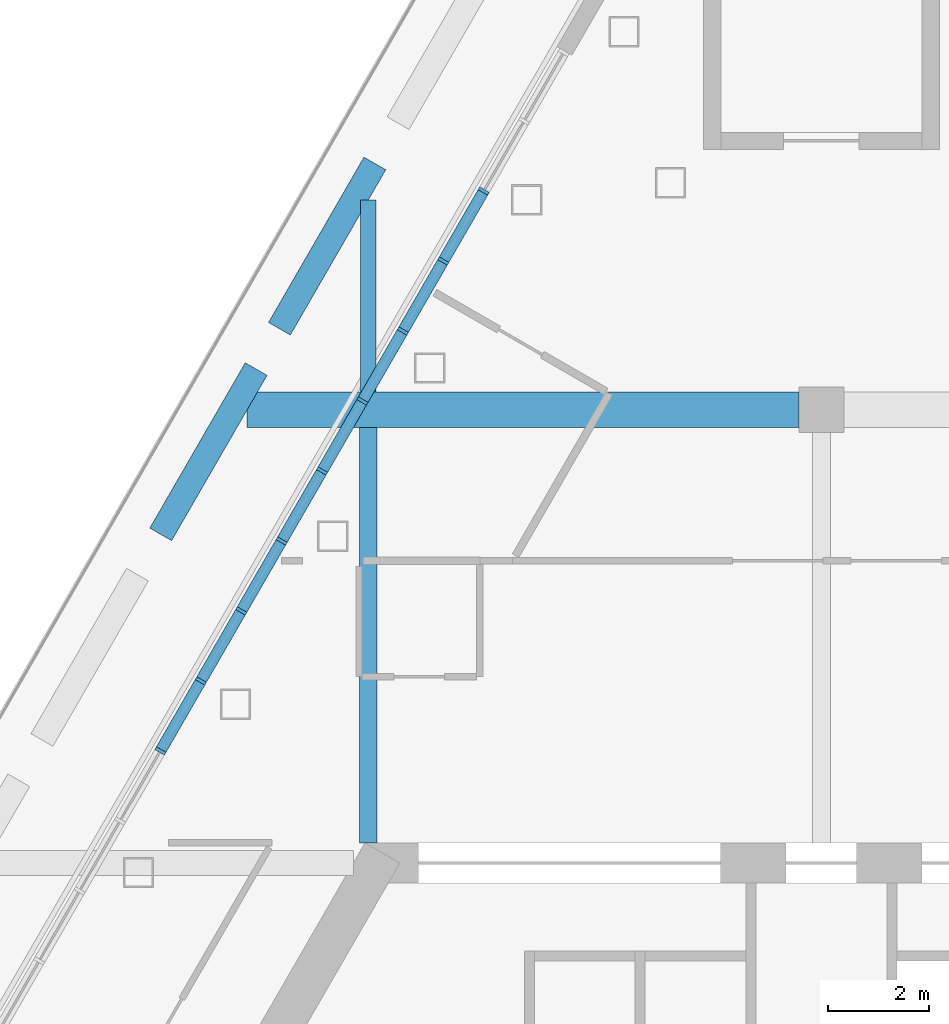
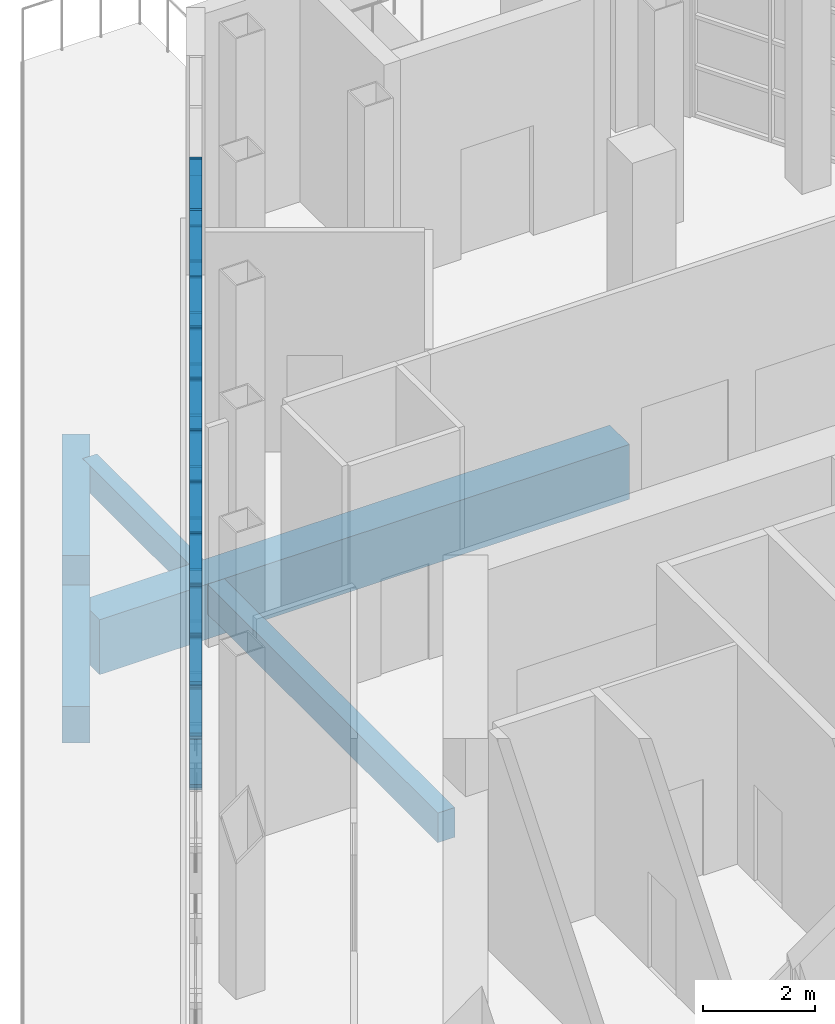
# One storey, part 3 of 15: 57 members, 5 beams, 1 element without a shape of its own.
"""IFC4 building model written with IfcOpenShell, lengths in metres."""

from ifc_helpers import new_model, si_unit, direction, frame, origin, origin_2d, place, context, subcontext, project, spatial, rectangle, extrude, material, material_profile, profile_set, type_object, element, aggregate, save


model = new_model("IFC4")

# Units and contexts
model_context = context("Model", 3, precision=1e-05, world=origin(), true_north=direction((0.0, 1.0)))
body_context = subcontext(model_context, "Body", "Model", "MODEL_VIEW")
ifc_project = project(units=[si_unit("LENGTHUNIT", "METRE"), si_unit("AREAUNIT", "SQUARE_METRE"), si_unit("VOLUMEUNIT", "CUBIC_METRE"), si_unit("PLANEANGLEUNIT", "RADIAN"), si_unit("MASSUNIT", "GRAM", prefix="KILO")], contexts=[model_context])

# Site, building, storey
site_placement = place(None, origin())
site = spatial("IfcSite", under=ifc_project, at=site_placement, CompositionType="ELEMENT")
building_placement = place(site_placement, origin())
building = spatial("IfcBuilding", under=site, at=building_placement, Name="Fogline Exchange Tower", CompositionType="ELEMENT")
storey_placement = place(building_placement, frame((0.0, 0.0, 344.699951171875)))
storey = spatial("IfcBuildingStorey", under=building, at=storey_placement, Name="L78", CompositionType="ELEMENT", Elevation=344.699951171875)

# Beams
ifc_material_1 = material(Name="Concrete C40", Category="concrete")
ifc_material_profile_1 = material_profile(ifc_material_1, rectangle(XDim=0.300048828125, YDim=0.60009765625, at=origin_2d()), Name="RC 300x600")
ifc_profile_set_1 = profile_set([ifc_material_profile_1], Name="Concrete C40")
beam_type_1 = type_object("IfcBeamType", Name="B06", PredefinedType="BEAM", material=ifc_profile_set_1)
beam_1_placement = place(storey_placement, frame((-9.0, 27.35009765625, -1.099853515625), z_axis=(0.0, 1.0, 0.0), x_axis=(-1.0, 0.0, 0.0)))
element("IfcBeam", 1, at=beam_1_placement, inside=storey, type_object=beam_type_1, Name="SB004", PredefinedType="BEAM", context=body_context, shape_type="SweptSolid", body=[
    extrude(rectangle(XDim=0.300048828125, YDim=0.60009765625, at=origin_2d()), origin(), (0.0, 0.0, 1.0), 3.812255859375),
])
ifc_material_profile_2 = material_profile(ifc_material_1, rectangle(XDim=0.5, YDim=0.800048828125, at=origin_2d()), Name="RC 500x800")
ifc_profile_set_2 = profile_set([ifc_material_profile_2], Name="Concrete C40")
beam_type_2 = type_object("IfcBeamType", Name="B10", PredefinedType="BEAM", material=ifc_profile_set_2)
for number, where, z_axis, x_axis, name in (
    (2, (-8.867919921875, 31.89111328125, -1.199951171875), (-0.499969613651, -0.86604294664, 0.0), (0.86604294664, -0.499969613651, 0.0), "RB022"),
    (3, (-11.22509765625, 27.80810546875, -1.199951171875), (-0.500045805297, -0.865998956469, 0.0), (0.865998956469, -0.500045805297, 0.0), "RB023"),
):
    element("IfcBeam", number, at=place(storey_placement, frame(where, z_axis=z_axis, x_axis=x_axis)), inside=storey, type_object=beam_type_2, Name=name, PredefinedType="BEAM", context=body_context, shape_type="SweptSolid", body=[
        extrude(rectangle(XDim=0.5, YDim=0.800048828125, at=origin_2d()), origin(), (0.0, 0.0, 1.0), 3.790771484375),
    ])
ifc_material_profile_3 = material_profile(ifc_material_1, rectangle(XDim=0.35009765625, YDim=0.64990234375, at=origin_2d()), Name="RC 350x650")
ifc_profile_set_3 = profile_set([ifc_material_profile_3], Name="Concrete C40")
beam_type_3 = type_object("IfcBeamType", Name="B16", PredefinedType="BEAM", material=ifc_profile_set_3)
beam_2_placement = place(storey_placement, frame((-9.0, 18.39990234375, -1.125), z_axis=(0.0, 1.0, 0.0), x_axis=(-1.0, 0.0, 0.0)))
element("IfcBeam", 4, at=beam_2_placement, inside=storey, type_object=beam_type_3, Name="SB003", PredefinedType="BEAM", context=body_context, shape_type="SweptSolid", body=[
    extrude(rectangle(XDim=0.35009765625, YDim=0.64990234375, at=origin_2d()), origin(), (0.0, 0.0, 1.0), 8.25),
])
ifc_material_profile_4 = material_profile(ifc_material_1, rectangle(XDim=0.699951171875, YDim=1.199951171875, at=origin_2d()), Name="RC 700x1200")
ifc_profile_set_4 = profile_set([ifc_material_profile_4], Name="Concrete C40")
beam_type_4 = type_object("IfcBeamType", Name="B17", PredefinedType="BEAM", material=ifc_profile_set_4)
beam_3_placement = place(storey_placement, frame((-11.4033203125, 27.0, -1.39990234375), z_axis=(1.0, 0.0, 0.0), x_axis=(0.0, 1.0, 0.0)))
element("IfcBeam", 5, at=beam_3_placement, inside=storey, type_object=beam_type_4, Name="GB005", PredefinedType="BEAM", context=body_context, shape_type="SweptSolid", body=[
    extrude(rectangle(XDim=0.699951171875, YDim=1.199951171875, at=origin_2d()), origin(), (0.0, 0.0, 1.0), 10.953369140625),
])

# Curtain wall, members
ifc_material_2 = material(Name="Aluminium and glass", Category="aluminium")
curtain_wall_type = type_object("IfcCurtainWallType", Name="CW5", PredefinedType="NOTDEFINED", material=ifc_material_2)
curtain_wall_placement = place(storey_placement, origin())
curtain_wall = element("IfcCurtainWall", 6, at=curtain_wall_placement, inside=storey, type_object=curtain_wall_type, Name="CW5 L78 W run 1", PredefinedType="NOTDEFINED")
ifc_material_3 = material(Name="Aluminium", Category="aluminium")
ifc_material_profile_5 = material_profile(ifc_material_3, rectangle(XDim=0.219970703125, YDim=0.06494140625, at=origin_2d()), Name="Mullion 65x220")
ifc_profile_set_5 = profile_set([ifc_material_profile_5], Name="Aluminium")
member_type_1 = type_object("IfcMemberType", Name="CW5-M", PredefinedType="MULLION", material=ifc_profile_set_5)
member_1_placement = place(storey_placement, frame((-6.70751953125, 31.343505859375, 0.0), z_axis=(0.0, 0.0, 1.0), x_axis=(0.866025370998, -0.500000056787, 0.0)))
member_1 = element("IfcMember", 7, at=member_1_placement, type_object=member_type_1, Name="CW5-T26-02 mullion 3", PredefinedType="MULLION", context=body_context, shape_type="SweptSolid", body=[
    extrude(rectangle(XDim=0.219970703125, YDim=0.06494140625, at=origin_2d()), origin(), (0.0, 0.0, 1.0), 4.800048828125),
])
member_2_placement = place(storey_placement, frame((-7.509765625, 29.953857421875, 0.0), z_axis=(0.0, 0.0, 1.0), x_axis=(0.866025370998, -0.500000056787, 0.0)))
member_2 = element("IfcMember", 8, at=member_2_placement, type_object=member_type_1, Name="CW5-T26-02 mullion 4", PredefinedType="MULLION", context=body_context, shape_type="SweptSolid", body=[
    extrude(rectangle(XDim=0.219970703125, YDim=0.06494140625, at=origin_2d()), origin(), (0.0, 0.0, 1.0), 4.800048828125),
])
member_3_placement = place(storey_placement, frame((-8.312255859375, 28.56396484375, 0.0), z_axis=(0.0, 0.0, 1.0), x_axis=(0.866025370998, -0.500000056787, 0.0)))
member_3 = element("IfcMember", 9, at=member_3_placement, type_object=member_type_1, Name="CW5-T26-02 mullion 5", PredefinedType="MULLION", context=body_context, shape_type="SweptSolid", body=[
    extrude(rectangle(XDim=0.219970703125, YDim=0.06494140625, at=origin_2d()), origin(), (0.0, 0.0, 1.0), 4.800048828125),
])
member_4_placement = place(storey_placement, frame((-9.114501953125, 27.17431640625, 0.0), z_axis=(0.0, 0.0, 1.0), x_axis=(0.866025370998, -0.500000056787, 0.0)))
member_4 = element("IfcMember", 10, at=member_4_placement, type_object=member_type_1, Name="CW5-T26-02 mullion 6", PredefinedType="MULLION", context=body_context, shape_type="SweptSolid", body=[
    extrude(rectangle(XDim=0.219970703125, YDim=0.06494140625, at=origin_2d()), origin(), (0.0, 0.0, 1.0), 4.800048828125),
])
member_5_placement = place(storey_placement, frame((-9.9169921875, 25.78466796875, 0.0), z_axis=(0.0, 0.0, 1.0), x_axis=(0.866025370998, -0.500000056787, 0.0)))
member_5 = element("IfcMember", 11, at=member_5_placement, type_object=member_type_1, Name="CW5-T26-02 mullion 7", PredefinedType="MULLION", context=body_context, shape_type="SweptSolid", body=[
    extrude(rectangle(XDim=0.219970703125, YDim=0.06494140625, at=origin_2d()), origin(), (0.0, 0.0, 1.0), 4.800048828125),
])
member_6_placement = place(storey_placement, frame((-10.71923828125, 24.394775390625, 0.0), z_axis=(0.0, 0.0, 1.0), x_axis=(0.866025370998, -0.500000056787, 0.0)))
member_6 = element("IfcMember", 12, at=member_6_placement, type_object=member_type_1, Name="CW5-T26-02 mullion 8", PredefinedType="MULLION", context=body_context, shape_type="SweptSolid", body=[
    extrude(rectangle(XDim=0.219970703125, YDim=0.06494140625, at=origin_2d()), origin(), (0.0, 0.0, 1.0), 4.800048828125),
])
member_7_placement = place(storey_placement, frame((-11.521728515625, 23.005126953125, 0.0), z_axis=(0.0, 0.0, 1.0), x_axis=(0.866025370998, -0.500000056787, 0.0)))
member_7 = element("IfcMember", 13, at=member_7_placement, type_object=member_type_1, Name="CW5-T26-02 mullion 9", PredefinedType="MULLION", context=body_context, shape_type="SweptSolid", body=[
    extrude(rectangle(XDim=0.219970703125, YDim=0.06494140625, at=origin_2d()), origin(), (0.0, 0.0, 1.0), 4.800048828125),
])
member_8_placement = place(storey_placement, frame((-12.323974609375, 21.615478515625, 0.0), z_axis=(0.0, 0.0, 1.0), x_axis=(0.866025370998, -0.500000056787, 0.0)))
member_8 = element("IfcMember", 14, at=member_8_placement, type_object=member_type_1, Name="CW5-T26-02 mullion 10", PredefinedType="MULLION", context=body_context, shape_type="SweptSolid", body=[
    extrude(rectangle(XDim=0.219970703125, YDim=0.06494140625, at=origin_2d()), origin(), (0.0, 0.0, 1.0), 4.800048828125),
])
member_9_placement = place(storey_placement, frame((-13.12646484375, 20.2255859375, 0.0), z_axis=(0.0, 0.0, 1.0), x_axis=(0.866025370998, -0.500000056787, 0.0)))
member_9 = element("IfcMember", 15, at=member_9_placement, type_object=member_type_1, Name="CW5-T26-02 mullion 11", PredefinedType="MULLION", context=body_context, shape_type="SweptSolid", body=[
    extrude(rectangle(XDim=0.219970703125, YDim=0.06494140625, at=origin_2d()), origin(), (0.0, 0.0, 1.0), 4.800048828125),
])
ifc_material_profile_6 = material_profile(ifc_material_3, rectangle(XDim=0.219970703125, YDim=0.080078125, at=origin_2d()), Name="Transom 80x220")
ifc_profile_set_6 = profile_set([ifc_material_profile_6], Name="Aluminium")
member_type_2 = type_object("IfcMemberType", Name="CW5-T", PredefinedType="USERDEFINED", material=ifc_profile_set_6)
member_10_placement = place(storey_placement, frame((-6.7236328125, 31.3154296875, 0.0400390625), z_axis=(-0.500060979923, -0.865990194147, 0.0), x_axis=(0.865990194147, -0.500060979923, 0.0)))
member_10 = element("IfcMember", 16, at=member_10_placement, type_object=member_type_2, Name="CW5-T26-02 transom 3.1", ObjectType="TRANSOM", PredefinedType="USERDEFINED", context=body_context, shape_type="SweptSolid", body=[
    extrude(rectangle(XDim=0.219970703125, YDim=0.080078125, at=origin_2d()), origin(), (0.0, 0.0, 1.0), 1.539794921875),
])
member_11_placement = place(storey_placement, frame((-6.7236328125, 31.3154296875, 1.10009765625), z_axis=(-0.500060979923, -0.865990194147, 0.0), x_axis=(0.865990194147, -0.500060979923, 0.0)))
member_11 = element("IfcMember", 17, at=member_11_placement, type_object=member_type_2, Name="CW5-T26-02 transom 3.2", ObjectType="TRANSOM", PredefinedType="USERDEFINED", context=body_context, shape_type="SweptSolid", body=[
    extrude(rectangle(XDim=0.219970703125, YDim=0.080078125, at=origin_2d()), origin(), (0.0, 0.0, 1.0), 1.539794921875),
])
member_12_placement = place(storey_placement, frame((-6.7236328125, 31.3154296875, 2.199951171875), z_axis=(-0.500060979923, -0.865990194147, 0.0), x_axis=(0.865990194147, -0.500060979923, 0.0)))
member_12 = element("IfcMember", 18, at=member_12_placement, type_object=member_type_2, Name="CW5-T26-02 transom 3.3", ObjectType="TRANSOM", PredefinedType="USERDEFINED", context=body_context, shape_type="SweptSolid", body=[
    extrude(rectangle(XDim=0.219970703125, YDim=0.080078125, at=origin_2d()), origin(), (0.0, 0.0, 1.0), 1.539794921875),
])
member_13_placement = place(storey_placement, frame((-6.7236328125, 31.3154296875, 3.300048828125), z_axis=(-0.500060979923, -0.865990194147, 0.0), x_axis=(0.865990194147, -0.500060979923, 0.0)))
member_13 = element("IfcMember", 19, at=member_13_placement, type_object=member_type_2, Name="CW5-T26-02 transom 3.4", ObjectType="TRANSOM", PredefinedType="USERDEFINED", context=body_context, shape_type="SweptSolid", body=[
    extrude(rectangle(XDim=0.219970703125, YDim=0.080078125, at=origin_2d()), origin(), (0.0, 0.0, 1.0), 1.539794921875),
])
member_14_placement = place(storey_placement, frame((-6.7236328125, 31.3154296875, 4.400146484375), z_axis=(-0.500060979923, -0.865990194147, 0.0), x_axis=(0.865990194147, -0.500060979923, 0.0)))
member_14 = element("IfcMember", 20, at=member_14_placement, type_object=member_type_2, Name="CW5-T26-02 transom 3.5", ObjectType="TRANSOM", PredefinedType="USERDEFINED", context=body_context, shape_type="SweptSolid", body=[
    extrude(rectangle(XDim=0.219970703125, YDim=0.080078125, at=origin_2d()), origin(), (0.0, 0.0, 1.0), 1.539794921875),
])
member_15_placement = place(storey_placement, frame((-6.7236328125, 31.3154296875, 4.760009765625), z_axis=(-0.500060979923, -0.865990194147, 0.0), x_axis=(0.865990194147, -0.500060979923, 0.0)))
member_15 = element("IfcMember", 21, at=member_15_placement, type_object=member_type_2, Name="CW5-T26-02 transom 3.6", ObjectType="TRANSOM", PredefinedType="USERDEFINED", context=body_context, shape_type="SweptSolid", body=[
    extrude(rectangle(XDim=0.219970703125, YDim=0.080078125, at=origin_2d()), origin(), (0.0, 0.0, 1.0), 1.539794921875),
])
member_16_placement = place(storey_placement, frame((-7.526123046875, 29.92578125, 0.0400390625), z_axis=(-0.499942064311, -0.866058850386, 0.0), x_axis=(0.866058850386, -0.499942064311, 0.0)))
member_16 = element("IfcMember", 22, at=member_16_placement, type_object=member_type_2, Name="CW5-T26-02 transom 4.1", ObjectType="TRANSOM", PredefinedType="USERDEFINED", context=body_context, shape_type="SweptSolid", body=[
    extrude(rectangle(XDim=0.219970703125, YDim=0.080078125, at=origin_2d()), origin(), (0.0, 0.0, 1.0), 1.539794921875),
])
member_17_placement = place(storey_placement, frame((-7.526123046875, 29.92578125, 1.10009765625), z_axis=(-0.499942064311, -0.866058850386, 0.0), x_axis=(0.866058850386, -0.499942064311, 0.0)))
member_17 = element("IfcMember", 23, at=member_17_placement, type_object=member_type_2, Name="CW5-T26-02 transom 4.2", ObjectType="TRANSOM", PredefinedType="USERDEFINED", context=body_context, shape_type="SweptSolid", body=[
    extrude(rectangle(XDim=0.219970703125, YDim=0.080078125, at=origin_2d()), origin(), (0.0, 0.0, 1.0), 1.539794921875),
])
member_18_placement = place(storey_placement, frame((-7.526123046875, 29.92578125, 2.199951171875), z_axis=(-0.499942064311, -0.866058850386, 0.0), x_axis=(0.866058850386, -0.499942064311, 0.0)))
member_18 = element("IfcMember", 24, at=member_18_placement, type_object=member_type_2, Name="CW5-T26-02 transom 4.3", ObjectType="TRANSOM", PredefinedType="USERDEFINED", context=body_context, shape_type="SweptSolid", body=[
    extrude(rectangle(XDim=0.219970703125, YDim=0.080078125, at=origin_2d()), origin(), (0.0, 0.0, 1.0), 1.539794921875),
])
member_19_placement = place(storey_placement, frame((-7.526123046875, 29.92578125, 3.300048828125), z_axis=(-0.499942064311, -0.866058850386, 0.0), x_axis=(0.866058850386, -0.499942064311, 0.0)))
member_19 = element("IfcMember", 25, at=member_19_placement, type_object=member_type_2, Name="CW5-T26-02 transom 4.4", ObjectType="TRANSOM", PredefinedType="USERDEFINED", context=body_context, shape_type="SweptSolid", body=[
    extrude(rectangle(XDim=0.219970703125, YDim=0.080078125, at=origin_2d()), origin(), (0.0, 0.0, 1.0), 1.539794921875),
])
member_20_placement = place(storey_placement, frame((-7.526123046875, 29.92578125, 4.400146484375), z_axis=(-0.499942064311, -0.866058850386, 0.0), x_axis=(0.866058850386, -0.499942064311, 0.0)))
member_20 = element("IfcMember", 26, at=member_20_placement, type_object=member_type_2, Name="CW5-T26-02 transom 4.5", ObjectType="TRANSOM", PredefinedType="USERDEFINED", context=body_context, shape_type="SweptSolid", body=[
    extrude(rectangle(XDim=0.219970703125, YDim=0.080078125, at=origin_2d()), origin(), (0.0, 0.0, 1.0), 1.539794921875),
])
member_21_placement = place(storey_placement, frame((-7.526123046875, 29.92578125, 4.760009765625), z_axis=(-0.499942064311, -0.866058850386, 0.0), x_axis=(0.866058850386, -0.499942064311, 0.0)))
member_21 = element("IfcMember", 27, at=member_21_placement, type_object=member_type_2, Name="CW5-T26-02 transom 4.6", ObjectType="TRANSOM", PredefinedType="USERDEFINED", context=body_context, shape_type="SweptSolid", body=[
    extrude(rectangle(XDim=0.219970703125, YDim=0.080078125, at=origin_2d()), origin(), (0.0, 0.0, 1.0), 1.539794921875),
])
member_22_placement = place(storey_placement, frame((-8.328369140625, 28.535888671875, 0.0400390625), z_axis=(-0.500060979923, -0.865990194147, 0.0), x_axis=(0.865990194147, -0.500060979923, 0.0)))
member_22 = element("IfcMember", 28, at=member_22_placement, type_object=member_type_2, Name="CW5-T26-02 transom 5.1", ObjectType="TRANSOM", PredefinedType="USERDEFINED", context=body_context, shape_type="SweptSolid", body=[
    extrude(rectangle(XDim=0.219970703125, YDim=0.080078125, at=origin_2d()), origin(), (0.0, 0.0, 1.0), 1.539794921875),
])
member_23_placement = place(storey_placement, frame((-8.328369140625, 28.535888671875, 1.10009765625), z_axis=(-0.500060979923, -0.865990194147, 0.0), x_axis=(0.865990194147, -0.500060979923, 0.0)))
member_23 = element("IfcMember", 29, at=member_23_placement, type_object=member_type_2, Name="CW5-T26-02 transom 5.2", ObjectType="TRANSOM", PredefinedType="USERDEFINED", context=body_context, shape_type="SweptSolid", body=[
    extrude(rectangle(XDim=0.219970703125, YDim=0.080078125, at=origin_2d()), origin(), (0.0, 0.0, 1.0), 1.539794921875),
])
member_24_placement = place(storey_placement, frame((-8.328369140625, 28.535888671875, 2.199951171875), z_axis=(-0.500060979923, -0.865990194147, 0.0), x_axis=(0.865990194147, -0.500060979923, 0.0)))
member_24 = element("IfcMember", 30, at=member_24_placement, type_object=member_type_2, Name="CW5-T26-02 transom 5.3", ObjectType="TRANSOM", PredefinedType="USERDEFINED", context=body_context, shape_type="SweptSolid", body=[
    extrude(rectangle(XDim=0.219970703125, YDim=0.080078125, at=origin_2d()), origin(), (0.0, 0.0, 1.0), 1.539794921875),
])
member_25_placement = place(storey_placement, frame((-8.328369140625, 28.535888671875, 3.300048828125), z_axis=(-0.500060979923, -0.865990194147, 0.0), x_axis=(0.865990194147, -0.500060979923, 0.0)))
member_25 = element("IfcMember", 31, at=member_25_placement, type_object=member_type_2, Name="CW5-T26-02 transom 5.4", ObjectType="TRANSOM", PredefinedType="USERDEFINED", context=body_context, shape_type="SweptSolid", body=[
    extrude(rectangle(XDim=0.219970703125, YDim=0.080078125, at=origin_2d()), origin(), (0.0, 0.0, 1.0), 1.539794921875),
])
member_26_placement = place(storey_placement, frame((-8.328369140625, 28.535888671875, 4.400146484375), z_axis=(-0.500060979923, -0.865990194147, 0.0), x_axis=(0.865990194147, -0.500060979923, 0.0)))
member_26 = element("IfcMember", 32, at=member_26_placement, type_object=member_type_2, Name="CW5-T26-02 transom 5.5", ObjectType="TRANSOM", PredefinedType="USERDEFINED", context=body_context, shape_type="SweptSolid", body=[
    extrude(rectangle(XDim=0.219970703125, YDim=0.080078125, at=origin_2d()), origin(), (0.0, 0.0, 1.0), 1.539794921875),
])
member_27_placement = place(storey_placement, frame((-8.328369140625, 28.535888671875, 4.760009765625), z_axis=(-0.500060979923, -0.865990194147, 0.0), x_axis=(0.865990194147, -0.500060979923, 0.0)))
member_27 = element("IfcMember", 33, at=member_27_placement, type_object=member_type_2, Name="CW5-T26-02 transom 5.6", ObjectType="TRANSOM", PredefinedType="USERDEFINED", context=body_context, shape_type="SweptSolid", body=[
    extrude(rectangle(XDim=0.219970703125, YDim=0.080078125, at=origin_2d()), origin(), (0.0, 0.0, 1.0), 1.539794921875),
])
member_28_placement = place(storey_placement, frame((-9.130859375, 27.146240234375, 0.0400390625), z_axis=(-0.499942064311, -0.866058850386, 0.0), x_axis=(0.866058850386, -0.499942064311, 0.0)))
member_28 = element("IfcMember", 34, at=member_28_placement, type_object=member_type_2, Name="CW5-T26-02 transom 6.1", ObjectType="TRANSOM", PredefinedType="USERDEFINED", context=body_context, shape_type="SweptSolid", body=[
    extrude(rectangle(XDim=0.219970703125, YDim=0.080078125, at=origin_2d()), origin(), (0.0, 0.0, 1.0), 1.539794921875),
])
member_29_placement = place(storey_placement, frame((-9.130859375, 27.146240234375, 1.10009765625), z_axis=(-0.499942064311, -0.866058850386, 0.0), x_axis=(0.866058850386, -0.499942064311, 0.0)))
member_29 = element("IfcMember", 35, at=member_29_placement, type_object=member_type_2, Name="CW5-T26-02 transom 6.2", ObjectType="TRANSOM", PredefinedType="USERDEFINED", context=body_context, shape_type="SweptSolid", body=[
    extrude(rectangle(XDim=0.219970703125, YDim=0.080078125, at=origin_2d()), origin(), (0.0, 0.0, 1.0), 1.539794921875),
])
member_30_placement = place(storey_placement, frame((-9.130859375, 27.146240234375, 2.199951171875), z_axis=(-0.499942064311, -0.866058850386, 0.0), x_axis=(0.866058850386, -0.499942064311, 0.0)))
member_30 = element("IfcMember", 36, at=member_30_placement, type_object=member_type_2, Name="CW5-T26-02 transom 6.3", ObjectType="TRANSOM", PredefinedType="USERDEFINED", context=body_context, shape_type="SweptSolid", body=[
    extrude(rectangle(XDim=0.219970703125, YDim=0.080078125, at=origin_2d()), origin(), (0.0, 0.0, 1.0), 1.539794921875),
])
member_31_placement = place(storey_placement, frame((-9.130859375, 27.146240234375, 3.300048828125), z_axis=(-0.499942064311, -0.866058850386, 0.0), x_axis=(0.866058850386, -0.499942064311, 0.0)))
member_31 = element("IfcMember", 37, at=member_31_placement, type_object=member_type_2, Name="CW5-T26-02 transom 6.4", ObjectType="TRANSOM", PredefinedType="USERDEFINED", context=body_context, shape_type="SweptSolid", body=[
    extrude(rectangle(XDim=0.219970703125, YDim=0.080078125, at=origin_2d()), origin(), (0.0, 0.0, 1.0), 1.539794921875),
])
member_32_placement = place(storey_placement, frame((-9.130859375, 27.146240234375, 4.400146484375), z_axis=(-0.499942064311, -0.866058850386, 0.0), x_axis=(0.866058850386, -0.499942064311, 0.0)))
member_32 = element("IfcMember", 38, at=member_32_placement, type_object=member_type_2, Name="CW5-T26-02 transom 6.5", ObjectType="TRANSOM", PredefinedType="USERDEFINED", context=body_context, shape_type="SweptSolid", body=[
    extrude(rectangle(XDim=0.219970703125, YDim=0.080078125, at=origin_2d()), origin(), (0.0, 0.0, 1.0), 1.539794921875),
])
member_33_placement = place(storey_placement, frame((-9.130859375, 27.146240234375, 4.760009765625), z_axis=(-0.499942064311, -0.866058850386, 0.0), x_axis=(0.866058850386, -0.499942064311, 0.0)))
member_33 = element("IfcMember", 39, at=member_33_placement, type_object=member_type_2, Name="CW5-T26-02 transom 6.6", ObjectType="TRANSOM", PredefinedType="USERDEFINED", context=body_context, shape_type="SweptSolid", body=[
    extrude(rectangle(XDim=0.219970703125, YDim=0.080078125, at=origin_2d()), origin(), (0.0, 0.0, 1.0), 1.539794921875),
])
member_34_placement = place(storey_placement, frame((-9.93310546875, 25.756591796875, 0.0400390625), z_axis=(-0.500060979923, -0.865990194147, 0.0), x_axis=(0.865990194147, -0.500060979923, 0.0)))
member_34 = element("IfcMember", 40, at=member_34_placement, type_object=member_type_2, Name="CW5-T26-02 transom 7.1", ObjectType="TRANSOM", PredefinedType="USERDEFINED", context=body_context, shape_type="SweptSolid", body=[
    extrude(rectangle(XDim=0.219970703125, YDim=0.080078125, at=origin_2d()), origin(), (0.0, 0.0, 1.0), 1.539794921875),
])
member_35_placement = place(storey_placement, frame((-9.93310546875, 25.756591796875, 1.10009765625), z_axis=(-0.500060979923, -0.865990194147, 0.0), x_axis=(0.865990194147, -0.500060979923, 0.0)))
member_35 = element("IfcMember", 41, at=member_35_placement, type_object=member_type_2, Name="CW5-T26-02 transom 7.2", ObjectType="TRANSOM", PredefinedType="USERDEFINED", context=body_context, shape_type="SweptSolid", body=[
    extrude(rectangle(XDim=0.219970703125, YDim=0.080078125, at=origin_2d()), origin(), (0.0, 0.0, 1.0), 1.539794921875),
])
member_36_placement = place(storey_placement, frame((-9.93310546875, 25.756591796875, 2.199951171875), z_axis=(-0.500060979923, -0.865990194147, 0.0), x_axis=(0.865990194147, -0.500060979923, 0.0)))
member_36 = element("IfcMember", 42, at=member_36_placement, type_object=member_type_2, Name="CW5-T26-02 transom 7.3", ObjectType="TRANSOM", PredefinedType="USERDEFINED", context=body_context, shape_type="SweptSolid", body=[
    extrude(rectangle(XDim=0.219970703125, YDim=0.080078125, at=origin_2d()), origin(), (0.0, 0.0, 1.0), 1.539794921875),
])
member_37_placement = place(storey_placement, frame((-9.93310546875, 25.756591796875, 3.300048828125), z_axis=(-0.500060979923, -0.865990194147, 0.0), x_axis=(0.865990194147, -0.500060979923, 0.0)))
member_37 = element("IfcMember", 43, at=member_37_placement, type_object=member_type_2, Name="CW5-T26-02 transom 7.4", ObjectType="TRANSOM", PredefinedType="USERDEFINED", context=body_context, shape_type="SweptSolid", body=[
    extrude(rectangle(XDim=0.219970703125, YDim=0.080078125, at=origin_2d()), origin(), (0.0, 0.0, 1.0), 1.539794921875),
])
member_38_placement = place(storey_placement, frame((-9.93310546875, 25.756591796875, 4.400146484375), z_axis=(-0.500060979923, -0.865990194147, 0.0), x_axis=(0.865990194147, -0.500060979923, 0.0)))
member_38 = element("IfcMember", 44, at=member_38_placement, type_object=member_type_2, Name="CW5-T26-02 transom 7.5", ObjectType="TRANSOM", PredefinedType="USERDEFINED", context=body_context, shape_type="SweptSolid", body=[
    extrude(rectangle(XDim=0.219970703125, YDim=0.080078125, at=origin_2d()), origin(), (0.0, 0.0, 1.0), 1.539794921875),
])
member_39_placement = place(storey_placement, frame((-9.93310546875, 25.756591796875, 4.760009765625), z_axis=(-0.500060979923, -0.865990194147, 0.0), x_axis=(0.865990194147, -0.500060979923, 0.0)))
member_39 = element("IfcMember", 45, at=member_39_placement, type_object=member_type_2, Name="CW5-T26-02 transom 7.6", ObjectType="TRANSOM", PredefinedType="USERDEFINED", context=body_context, shape_type="SweptSolid", body=[
    extrude(rectangle(XDim=0.219970703125, YDim=0.080078125, at=origin_2d()), origin(), (0.0, 0.0, 1.0), 1.539794921875),
])
member_40_placement = place(storey_placement, frame((-10.735595703125, 24.36669921875, 0.0400390625), z_axis=(-0.499942064311, -0.866058850386, 0.0), x_axis=(0.866058850386, -0.499942064311, 0.0)))
member_40 = element("IfcMember", 46, at=member_40_placement, type_object=member_type_2, Name="CW5-T26-02 transom 8.1", ObjectType="TRANSOM", PredefinedType="USERDEFINED", context=body_context, shape_type="SweptSolid", body=[
    extrude(rectangle(XDim=0.219970703125, YDim=0.080078125, at=origin_2d()), origin(), (0.0, 0.0, 1.0), 1.539794921875),
])
member_41_placement = place(storey_placement, frame((-10.735595703125, 24.36669921875, 1.10009765625), z_axis=(-0.499942064311, -0.866058850386, 0.0), x_axis=(0.866058850386, -0.499942064311, 0.0)))
member_41 = element("IfcMember", 47, at=member_41_placement, type_object=member_type_2, Name="CW5-T26-02 transom 8.2", ObjectType="TRANSOM", PredefinedType="USERDEFINED", context=body_context, shape_type="SweptSolid", body=[
    extrude(rectangle(XDim=0.219970703125, YDim=0.080078125, at=origin_2d()), origin(), (0.0, 0.0, 1.0), 1.539794921875),
])
member_42_placement = place(storey_placement, frame((-10.735595703125, 24.36669921875, 2.199951171875), z_axis=(-0.499942064311, -0.866058850386, 0.0), x_axis=(0.866058850386, -0.499942064311, 0.0)))
member_42 = element("IfcMember", 48, at=member_42_placement, type_object=member_type_2, Name="CW5-T26-02 transom 8.3", ObjectType="TRANSOM", PredefinedType="USERDEFINED", context=body_context, shape_type="SweptSolid", body=[
    extrude(rectangle(XDim=0.219970703125, YDim=0.080078125, at=origin_2d()), origin(), (0.0, 0.0, 1.0), 1.539794921875),
])
member_43_placement = place(storey_placement, frame((-10.735595703125, 24.36669921875, 3.300048828125), z_axis=(-0.499942064311, -0.866058850386, 0.0), x_axis=(0.866058850386, -0.499942064311, 0.0)))
member_43 = element("IfcMember", 49, at=member_43_placement, type_object=member_type_2, Name="CW5-T26-02 transom 8.4", ObjectType="TRANSOM", PredefinedType="USERDEFINED", context=body_context, shape_type="SweptSolid", body=[
    extrude(rectangle(XDim=0.219970703125, YDim=0.080078125, at=origin_2d()), origin(), (0.0, 0.0, 1.0), 1.539794921875),
])
member_44_placement = place(storey_placement, frame((-10.735595703125, 24.36669921875, 4.400146484375), z_axis=(-0.499942064311, -0.866058850386, 0.0), x_axis=(0.866058850386, -0.499942064311, 0.0)))
member_44 = element("IfcMember", 50, at=member_44_placement, type_object=member_type_2, Name="CW5-T26-02 transom 8.5", ObjectType="TRANSOM", PredefinedType="USERDEFINED", context=body_context, shape_type="SweptSolid", body=[
    extrude(rectangle(XDim=0.219970703125, YDim=0.080078125, at=origin_2d()), origin(), (0.0, 0.0, 1.0), 1.539794921875),
])
member_45_placement = place(storey_placement, frame((-10.735595703125, 24.36669921875, 4.760009765625), z_axis=(-0.499942064311, -0.866058850386, 0.0), x_axis=(0.866058850386, -0.499942064311, 0.0)))
member_45 = element("IfcMember", 51, at=member_45_placement, type_object=member_type_2, Name="CW5-T26-02 transom 8.6", ObjectType="TRANSOM", PredefinedType="USERDEFINED", context=body_context, shape_type="SweptSolid", body=[
    extrude(rectangle(XDim=0.219970703125, YDim=0.080078125, at=origin_2d()), origin(), (0.0, 0.0, 1.0), 1.539794921875),
])
member_46_placement = place(storey_placement, frame((-11.537841796875, 22.97705078125, 0.0400390625), z_axis=(-0.500060979923, -0.865990194147, 0.0), x_axis=(0.865990194147, -0.500060979923, 0.0)))
member_46 = element("IfcMember", 52, at=member_46_placement, type_object=member_type_2, Name="CW5-T26-02 transom 9.1", ObjectType="TRANSOM", PredefinedType="USERDEFINED", context=body_context, shape_type="SweptSolid", body=[
    extrude(rectangle(XDim=0.219970703125, YDim=0.080078125, at=origin_2d()), origin(), (0.0, 0.0, 1.0), 1.539794921875),
])
member_47_placement = place(storey_placement, frame((-11.537841796875, 22.97705078125, 1.10009765625), z_axis=(-0.500060979923, -0.865990194147, 0.0), x_axis=(0.865990194147, -0.500060979923, 0.0)))
member_47 = element("IfcMember", 53, at=member_47_placement, type_object=member_type_2, Name="CW5-T26-02 transom 9.2", ObjectType="TRANSOM", PredefinedType="USERDEFINED", context=body_context, shape_type="SweptSolid", body=[
    extrude(rectangle(XDim=0.219970703125, YDim=0.080078125, at=origin_2d()), origin(), (0.0, 0.0, 1.0), 1.539794921875),
])
member_48_placement = place(storey_placement, frame((-11.537841796875, 22.97705078125, 2.199951171875), z_axis=(-0.500060979923, -0.865990194147, 0.0), x_axis=(0.865990194147, -0.500060979923, 0.0)))
member_48 = element("IfcMember", 54, at=member_48_placement, type_object=member_type_2, Name="CW5-T26-02 transom 9.3", ObjectType="TRANSOM", PredefinedType="USERDEFINED", context=body_context, shape_type="SweptSolid", body=[
    extrude(rectangle(XDim=0.219970703125, YDim=0.080078125, at=origin_2d()), origin(), (0.0, 0.0, 1.0), 1.539794921875),
])
member_49_placement = place(storey_placement, frame((-11.537841796875, 22.97705078125, 3.300048828125), z_axis=(-0.500060979923, -0.865990194147, 0.0), x_axis=(0.865990194147, -0.500060979923, 0.0)))
member_49 = element("IfcMember", 55, at=member_49_placement, type_object=member_type_2, Name="CW5-T26-02 transom 9.4", ObjectType="TRANSOM", PredefinedType="USERDEFINED", context=body_context, shape_type="SweptSolid", body=[
    extrude(rectangle(XDim=0.219970703125, YDim=0.080078125, at=origin_2d()), origin(), (0.0, 0.0, 1.0), 1.539794921875),
])
member_50_placement = place(storey_placement, frame((-11.537841796875, 22.97705078125, 4.400146484375), z_axis=(-0.500060979923, -0.865990194147, 0.0), x_axis=(0.865990194147, -0.500060979923, 0.0)))
member_50 = element("IfcMember", 56, at=member_50_placement, type_object=member_type_2, Name="CW5-T26-02 transom 9.5", ObjectType="TRANSOM", PredefinedType="USERDEFINED", context=body_context, shape_type="SweptSolid", body=[
    extrude(rectangle(XDim=0.219970703125, YDim=0.080078125, at=origin_2d()), origin(), (0.0, 0.0, 1.0), 1.539794921875),
])
member_51_placement = place(storey_placement, frame((-11.537841796875, 22.97705078125, 4.760009765625), z_axis=(-0.500060979923, -0.865990194147, 0.0), x_axis=(0.865990194147, -0.500060979923, 0.0)))
member_51 = element("IfcMember", 57, at=member_51_placement, type_object=member_type_2, Name="CW5-T26-02 transom 9.6", ObjectType="TRANSOM", PredefinedType="USERDEFINED", context=body_context, shape_type="SweptSolid", body=[
    extrude(rectangle(XDim=0.219970703125, YDim=0.080078125, at=origin_2d()), origin(), (0.0, 0.0, 1.0), 1.539794921875),
])
member_52_placement = place(storey_placement, frame((-12.34033203125, 21.58740234375, 0.0400390625), z_axis=(-0.499942064311, -0.866058850386, 0.0), x_axis=(0.866058850386, -0.499942064311, 0.0)))
member_52 = element("IfcMember", 58, at=member_52_placement, type_object=member_type_2, Name="CW5-T26-02 transom 10.1", ObjectType="TRANSOM", PredefinedType="USERDEFINED", context=body_context, shape_type="SweptSolid", body=[
    extrude(rectangle(XDim=0.219970703125, YDim=0.080078125, at=origin_2d()), origin(), (0.0, 0.0, 1.0), 1.539794921875),
])
member_53_placement = place(storey_placement, frame((-12.34033203125, 21.58740234375, 1.10009765625), z_axis=(-0.499942064311, -0.866058850386, 0.0), x_axis=(0.866058850386, -0.499942064311, 0.0)))
member_53 = element("IfcMember", 59, at=member_53_placement, type_object=member_type_2, Name="CW5-T26-02 transom 10.2", ObjectType="TRANSOM", PredefinedType="USERDEFINED", context=body_context, shape_type="SweptSolid", body=[
    extrude(rectangle(XDim=0.219970703125, YDim=0.080078125, at=origin_2d()), origin(), (0.0, 0.0, 1.0), 1.539794921875),
])
member_54_placement = place(storey_placement, frame((-12.34033203125, 21.58740234375, 2.199951171875), z_axis=(-0.499942064311, -0.866058850386, 0.0), x_axis=(0.866058850386, -0.499942064311, 0.0)))
member_54 = element("IfcMember", 60, at=member_54_placement, type_object=member_type_2, Name="CW5-T26-02 transom 10.3", ObjectType="TRANSOM", PredefinedType="USERDEFINED", context=body_context, shape_type="SweptSolid", body=[
    extrude(rectangle(XDim=0.219970703125, YDim=0.080078125, at=origin_2d()), origin(), (0.0, 0.0, 1.0), 1.539794921875),
])
member_55_placement = place(storey_placement, frame((-12.34033203125, 21.58740234375, 3.300048828125), z_axis=(-0.499942064311, -0.866058850386, 0.0), x_axis=(0.866058850386, -0.499942064311, 0.0)))
member_55 = element("IfcMember", 61, at=member_55_placement, type_object=member_type_2, Name="CW5-T26-02 transom 10.4", ObjectType="TRANSOM", PredefinedType="USERDEFINED", context=body_context, shape_type="SweptSolid", body=[
    extrude(rectangle(XDim=0.219970703125, YDim=0.080078125, at=origin_2d()), origin(), (0.0, 0.0, 1.0), 1.539794921875),
])
member_56_placement = place(storey_placement, frame((-12.34033203125, 21.58740234375, 4.400146484375), z_axis=(-0.499942064311, -0.866058850386, 0.0), x_axis=(0.866058850386, -0.499942064311, 0.0)))
member_56 = element("IfcMember", 62, at=member_56_placement, type_object=member_type_2, Name="CW5-T26-02 transom 10.5", ObjectType="TRANSOM", PredefinedType="USERDEFINED", context=body_context, shape_type="SweptSolid", body=[
    extrude(rectangle(XDim=0.219970703125, YDim=0.080078125, at=origin_2d()), origin(), (0.0, 0.0, 1.0), 1.539794921875),
])
member_57_placement = place(storey_placement, frame((-12.34033203125, 21.58740234375, 4.760009765625), z_axis=(-0.499942064311, -0.866058850386, 0.0), x_axis=(0.866058850386, -0.499942064311, 0.0)))
member_57 = element("IfcMember", 63, at=member_57_placement, type_object=member_type_2, Name="CW5-T26-02 transom 10.6", ObjectType="TRANSOM", PredefinedType="USERDEFINED", context=body_context, shape_type="SweptSolid", body=[
    extrude(rectangle(XDim=0.219970703125, YDim=0.080078125, at=origin_2d()), origin(), (0.0, 0.0, 1.0), 1.539794921875),
])
aggregate(curtain_wall, [member_1, member_2, member_3, member_4, member_5, member_6, member_7, member_8, member_9, member_10, member_11, member_12, member_13, member_14, member_15, member_16, member_17, member_18, member_19, member_20, member_21, member_22, member_23, member_24, member_25, member_26, member_27, member_28, member_29, member_30, member_31, member_32, member_33, member_34, member_35, member_36, member_37, member_38, member_39, member_40, member_41, member_42, member_43, member_44, member_45, member_46, member_47, member_48, member_49, member_50, member_51, member_52, member_53, member_54, member_55, member_56, member_57])

save(model, "model.ifc")
